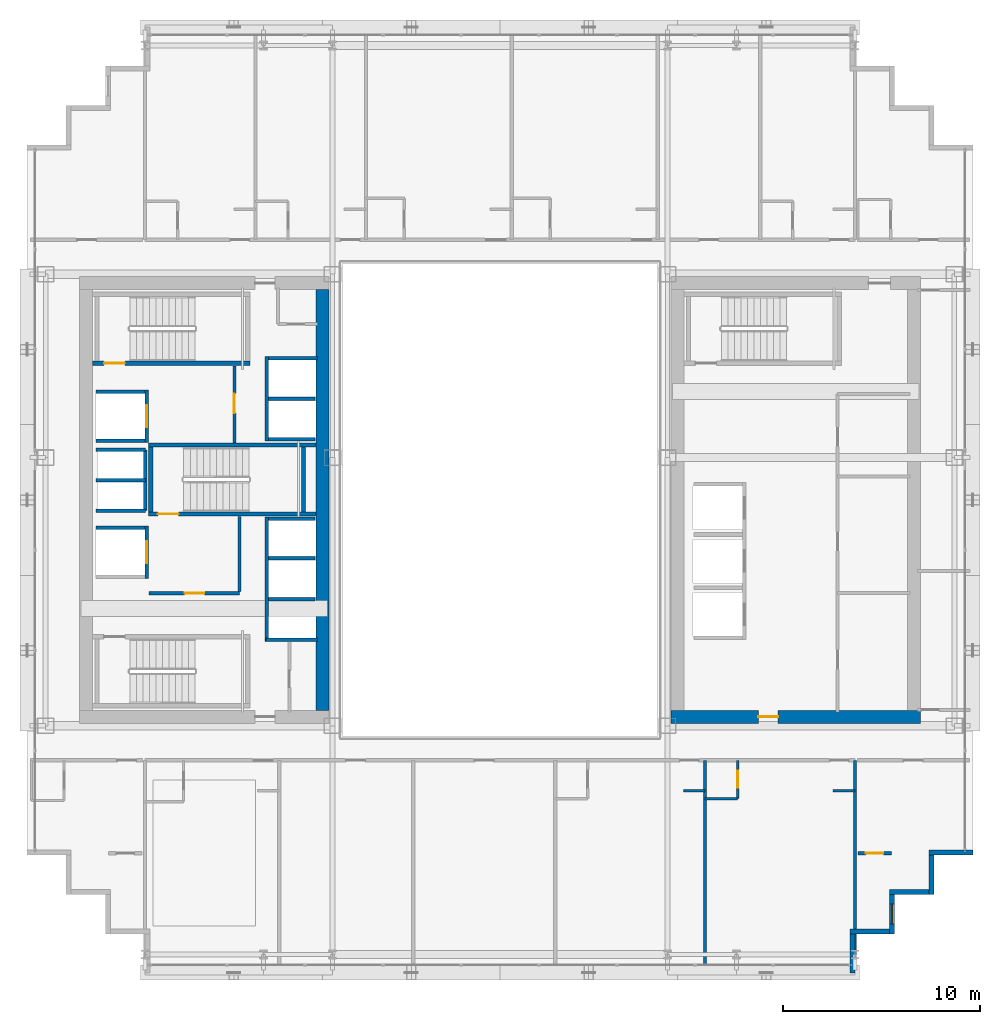
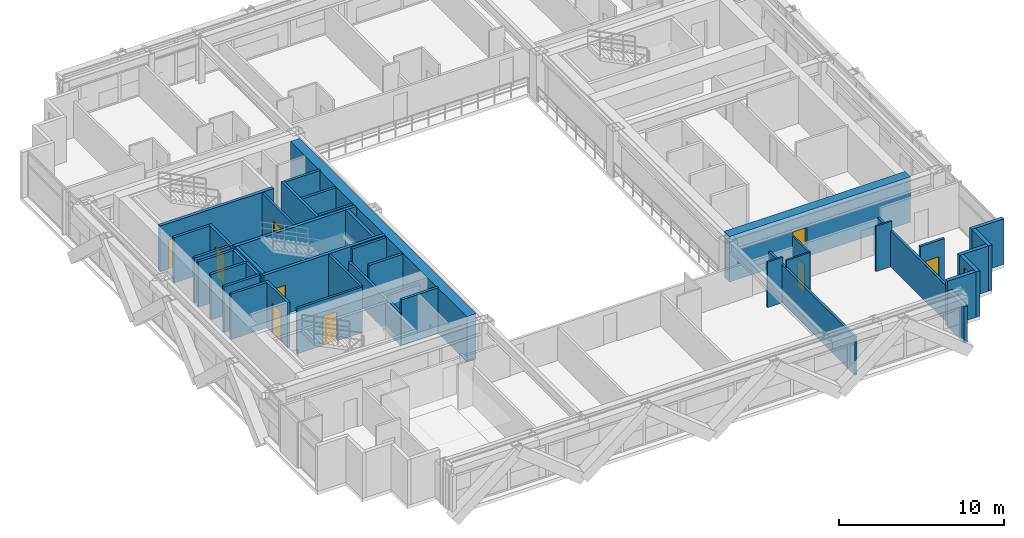
# One storey, part 28 of 35: 41 walls, 9 doors, 1 window, 10 openings.
"""IFC4 building model written with IfcOpenShell, lengths in metres."""

from ifc_helpers import new_model, si_unit, direction, frame, frame_2d, origin, place, context, subcontext, project, spatial, rectangle, extrude, source, transform, mapped, material, layer, layer_set, type_object, element, fill, save


model = new_model("IFC4")

# Units and contexts
model_context = context("Model", 3, precision=1e-05, world=origin(), true_north=direction((0.0, 1.0)))
body_context = subcontext(model_context, "Body", "Model", "MODEL_VIEW")
ifc_project = project(units=[si_unit("LENGTHUNIT", "METRE"), si_unit("AREAUNIT", "SQUARE_METRE"), si_unit("VOLUMEUNIT", "CUBIC_METRE"), si_unit("PLANEANGLEUNIT", "RADIAN"), si_unit("MASSUNIT", "GRAM", prefix="KILO")], contexts=[model_context])

# Site, building, storey
site_placement = place(None, origin())
site = spatial("IfcSite", under=ifc_project, at=site_placement, CompositionType="ELEMENT")
building_placement = place(site_placement, origin())
building = spatial("IfcBuilding", under=site, at=building_placement, Name="Ocotamira Hotel", CompositionType="ELEMENT")
storey_placement = place(building_placement, frame((0.0, 0.0, 140.39990234375)))
storey = spatial("IfcBuildingStorey", under=building, at=storey_placement, Name="L35", CompositionType="ELEMENT", Elevation=140.39990234375)

# Wall
ifc_material_1 = material(Name="Concrete C60/75", Category="concrete")
ifc_layer_1 = layer(ifc_material_1, 0.64990234375)
ifc_layer_set_1 = layer_set([ifc_layer_1], Name="Concrete C60/75")
wall_type_1 = type_object("IfcWallType", Name="WL-CORE-650", PredefinedType="SHEAR", material=ifc_layer_set_1)
wall_1_placement = place(storey_placement, frame((23.0, 15.324951171875, 0.0), z_axis=(0.0, 0.0, 1.0), x_axis=(0.0, 1.0, 0.0)))
element("IfcWall", 1, at=wall_1_placement, inside=storey, type_object=wall_type_1, Name="L35 Shear Core Wall WCORE-E", PredefinedType="SHEAR", context=body_context, shape_type="SweptSolid", body=[
    extrude(rectangle(XDim=21.35009765625, YDim=0.64990234375, at=frame_2d((10.675048828125, 0.0))), origin(), (0.0, 0.0, 1.0), 3.360107421875),
])

# Wall, opening, door
wall_2_placement = place(storey_placement, frame((40.675048828125, 15.0, 0.0), z_axis=(0.0, 0.0, 1.0), x_axis=(1.0, 0.0, 0.0)))
wall_2 = element("IfcWall", 2, at=wall_2_placement, inside=storey, type_object=wall_type_1, Name="L35 Shear Core Wall ECORE-S", PredefinedType="SHEAR", context=body_context, shape_type="SweptSolid", body=[
    extrude(rectangle(XDim=12.64990234375, YDim=0.64990234375, at=frame_2d((6.324951171875, 0.0))), origin(), (0.0, 0.0, 1.0), 3.360107421875),
])
opening_1_placement = place(wall_2_placement, frame((4.425048828125, 0.0, 0.0)))
opening_1 = element("IfcOpeningElement", 3, at=opening_1_placement, cuts=wall_2, Name="Opening D-FR2", PredefinedType="OPENING", context=body_context, shape_type="SweptSolid", body=[
    extrude(rectangle(XDim=1.0, YDim=2.14990234375, at=frame_2d((0.5, 1.074951171875))), frame((0.0, 0.3349609375, 0.0), z_axis=(0.0, -1.0, 0.0), x_axis=(1.0, 0.0, 0.0)), (0.0, 0.0, 1.0), 0.669921875),
])
ifc_material_2 = material(Name="Fire-rated acoustic timber-veneer door", Category="wood")
door_type_1 = type_object("IfcDoorType", Name="DR-FIRE-1000", OperationType="NOTDEFINED", PredefinedType="DOOR", material=ifc_material_2)
shared_shape_1 = source(origin(), body_context, "Body", "SweptSolid", [
    extrude(rectangle(XDim=1.0, YDim=2.14990234375, at=frame_2d((0.5, 1.074951171875))), frame((0.0, 0.02490234375, 0.0), z_axis=(0.0, -1.0, 0.0), x_axis=(1.0, 0.0, 0.0)), (0.0, 0.0, 1.0), 0.050048828125),
])
door_1_placement = place(opening_1_placement, origin())
door_1 = element("IfcDoor", 4, at=door_1_placement, inside=storey, type_object=door_type_1, Name="L35 Door ID-L35-ELOB-S-D [ID-L35-ELOB-S-D]", OperationType="SINGLE_SWING_RIGHT", OverallHeight=2.14990234375, OverallWidth=1.0, PredefinedType="DOOR", context=body_context, shape_type="MappedRepresentation", body=[
    mapped(shared_shape_1, transform((0.0, 0.0, 0.0), scale=1.0)),
])
fill(opening_1, door_1)

# Walls
ifc_material_3 = material(Name="Precast concrete C45/55", Category="concrete")
ifc_layer_2 = layer(ifc_material_3, 0.25)
ifc_layer_set_2 = layer_set([ifc_layer_2], Name="Precast concrete C45/55")
wall_type_2 = type_object("IfcWallType", Name="WL-EXT-SER-250", PredefinedType="SOLIDWALL", material=ifc_layer_set_2)
wall_3_placement = place(storey_placement, frame((49.875, 2.0, 0.0), z_axis=(0.0, 0.0, 1.0), x_axis=(0.0, 1.0, 0.0)))
element("IfcWall", 5, at=wall_3_placement, inside=storey, type_object=wall_type_2, Name="L35 Serrated Corner Wall 01", PredefinedType="SOLIDWALL", context=body_context, shape_type="SweptSolid", body=[
    extrude(rectangle(XDim=2.0, YDim=0.25, at=frame_2d((1.0, 0.0))), origin(), (0.0, 0.0, 1.0), 2.6669921875),
])
wall_4_placement = place(storey_placement, frame((49.75, 4.125, 0.0), z_axis=(0.0, 0.0, 1.0), x_axis=(1.0, 0.0, 0.0)))
element("IfcWall", 6, at=wall_4_placement, inside=storey, type_object=wall_type_2, Name="L35 Serrated Corner Wall 02", PredefinedType="SOLIDWALL", context=body_context, shape_type="SweptSolid", body=[
    extrude(rectangle(XDim=2.0, YDim=0.25, at=frame_2d((1.0, 0.0))), origin(), (0.0, 0.0, 1.0), 3.360107421875),
])

# Wall, opening, window
wall_5_placement = place(storey_placement, frame((51.875, 4.0, 0.0), z_axis=(0.0, 0.0, 1.0), x_axis=(0.0, 1.0, 0.0)))
wall_5 = element("IfcWall", 7, at=wall_5_placement, inside=storey, type_object=wall_type_2, Name="L35 Serrated Corner Wall 03", PredefinedType="SOLIDWALL", context=body_context, shape_type="SweptSolid", body=[
    extrude(rectangle(XDim=2.0, YDim=0.25, at=frame_2d((1.0, 0.0))), origin(), (0.0, 0.0, 1.0), 3.360107421875),
])
opening_2_placement = place(wall_5_placement, frame((0.5, 0.0, 0.85009765625)))
opening_2 = element("IfcOpeningElement", 8, at=opening_2_placement, cuts=wall_5, Name="Opening WN-2", PredefinedType="OPENING", context=body_context, shape_type="SweptSolid", body=[
    extrude(rectangle(XDim=1.0, YDim=1.89990234375, at=frame_2d((0.5, 0.949951171875))), frame((0.0, 0.135009765625, 0.0), z_axis=(0.0, -1.0, 0.0), x_axis=(1.0, 0.0, 0.0)), (0.0, 0.0, 1.0), 0.27001953125),
])
ifc_material_4 = material(Name="Double-silver low-E solar glass", Category="glass")
window_type = type_object("IfcWindowType", Name="WIN-SER-1100", PartitioningType="SINGLE_PANEL", PredefinedType="WINDOW", material=ifc_material_4)
shared_shape_2 = source(origin(), body_context, "Body", "SweptSolid", [
    extrude(rectangle(XDim=1.0, YDim=1.89990234375, at=frame_2d((0.5, 0.949951171875))), frame((0.0, 0.030029296875, 0.0), z_axis=(0.0, -1.0, 0.0), x_axis=(1.0, 0.0, 0.0)), (0.0, 0.0, 1.0), 0.06005859375),
])
window_placement = place(opening_2_placement, origin())
window = element("IfcWindow", 9, at=window_placement, inside=storey, type_object=window_type, Name="L35 Serrated Corner Window 03", OverallHeight=1.89990234375, OverallWidth=1.0, PartitioningType="SINGLE_PANEL", PredefinedType="WINDOW", context=body_context, shape_type="MappedRepresentation", body=[
    mapped(shared_shape_2, transform((0.0, 0.0, 0.0), scale=1.0)),
])
fill(opening_2, window)

# Walls
for number, where, z_axis, x_axis, name in (
    (10, (51.75, 6.125, 0.0), (0.0, 0.0, 1.0), (1.0, 0.0, 0.0), "L35 Serrated Corner Wall 04"),
    (11, (53.875, 6.0, 0.0), (0.0, 0.0, 1.0), (0.0, 1.0, 0.0), "L35 Serrated Corner Wall 05"),
):
    element("IfcWall", number, at=place(storey_placement, frame(where, z_axis=z_axis, x_axis=x_axis)), inside=storey, type_object=wall_type_2, Name=name, PredefinedType="SOLIDWALL", context=body_context, shape_type="SweptSolid", body=[
        extrude(rectangle(XDim=2.0, YDim=0.25, at=frame_2d((1.0, 0.0))), origin(), (0.0, 0.0, 1.0), 3.360107421875),
    ])
wall_6_placement = place(storey_placement, frame((53.75, 8.125, 0.0), z_axis=(0.0, 0.0, 1.0), x_axis=(1.0, 0.0, 0.0)))
element("IfcWall", 12, at=wall_6_placement, inside=storey, type_object=wall_type_2, Name="L35 Serrated Corner Wall 06", PredefinedType="SOLIDWALL", context=body_context, shape_type="SweptSolid", body=[
    extrude(rectangle(XDim=2.25, YDim=0.25, at=frame_2d((1.125, 0.0))), origin(), (0.0, 0.0, 1.0), 3.360107421875),
])

# Wall, opening, door
ifc_material_5 = material(Name="Acoustic double-layer fire gypsum board partition", Category="gypsum")
ifc_layer_3 = layer(ifc_material_5, 0.159912109375)
ifc_layer_set_3 = layer_set([ifc_layer_3], Name="Acoustic double-layer fire gypsum board partition")
wall_type_3 = type_object("IfcWallType", Name="WL-FIRE-160", PredefinedType="PARTITIONING", material=ifc_layer_set_3)
wall_7_placement = place(storey_placement, frame((14.199951171875, 21.27001953125, 0.0), z_axis=(0.0, 0.0, 1.0), x_axis=(1.0, 0.0, 0.0)))
wall_7 = element("IfcWall", 13, at=wall_7_placement, inside=storey, type_object=wall_type_3, Name="L35 Interior Wall PW-L35-FSAE1-S", PredefinedType="PARTITIONING", context=body_context, shape_type="SweptSolid", body=[
    extrude(rectangle(XDim=4.580078125, YDim=0.159912109375, at=frame_2d((2.2900390625, 0.0))), origin(), (0.0, 0.0, 1.0), 3.360107421875),
])
opening_3_placement = place(wall_7_placement, frame((1.800048828125, 0.0, 0.0)))
opening_3 = element("IfcOpeningElement", 14, at=opening_3_placement, cuts=wall_7, Name="Opening D-FR2", PredefinedType="OPENING", context=body_context, shape_type="SweptSolid", body=[
    extrude(rectangle(XDim=1.0, YDim=2.14990234375, at=frame_2d((0.5, 1.074951171875))), frame((0.0, 0.08984375, 0.0), z_axis=(0.0, -1.0, 0.0), x_axis=(1.0, 0.0, 0.0)), (0.0, 0.0, 1.0), 0.179931640625),
])
door_2_placement = place(opening_3_placement, origin())
door_2 = element("IfcDoor", 15, at=door_2_placement, inside=storey, type_object=door_type_1, Name="L35 Door ID-L35-FSAE1-D [ID-L35-FSAE1-D]", OperationType="SINGLE_SWING_LEFT", OverallHeight=2.14990234375, OverallWidth=1.0, PredefinedType="DOOR", context=body_context, shape_type="MappedRepresentation", body=[
    mapped(shared_shape_1, transform((0.0, 0.0, 0.0), scale=1.0)),
])
fill(opening_3, door_2)

# Wall
wall_8_placement = place(storey_placement, frame((18.780029296875, 21.35009765625, 0.0), z_axis=(0.0, 0.0, 1.0), x_axis=(0.0, 1.0, 0.0)))
element("IfcWall", 16, at=wall_8_placement, inside=storey, type_object=wall_type_3, Name="L35 Interior Wall PW-L35-FSAE1-E", PredefinedType="PARTITIONING", context=body_context, shape_type="SweptSolid", body=[
    extrude(rectangle(XDim=3.809814453125, YDim=0.159912109375, at=frame_2d((1.90478515625, 0.0))), origin(), (0.0, 0.0, 1.0), 3.360107421875),
])

# Wall, opening, door
wall_9_placement = place(storey_placement, frame((18.530029296875, 28.89990234375, 0.0), z_axis=(0.0, 0.0, 1.0), x_axis=(0.0, 1.0, 0.0)))
wall_9 = element("IfcWall", 17, at=wall_9_placement, inside=storey, type_object=wall_type_3, Name="L35 Interior Wall PW-L35-FSAE2-E", PredefinedType="PARTITIONING", context=body_context, shape_type="SweptSolid", body=[
    extrude(rectangle(XDim=3.900146484375, YDim=0.159912109375, at=frame_2d((1.9501953125, 0.0))), origin(), (0.0, 0.0, 1.0), 3.360107421875),
])
opening_4_placement = place(wall_9_placement, frame((1.5, 0.0, 0.0)))
opening_4 = element("IfcOpeningElement", 18, at=opening_4_placement, cuts=wall_9, Name="Opening D-FR2", PredefinedType="OPENING", context=body_context, shape_type="SweptSolid", body=[
    extrude(rectangle(XDim=1.0, YDim=2.14990234375, at=frame_2d((0.5, 1.074951171875))), frame((0.0, 0.08984375, 0.0), z_axis=(0.0, -1.0, 0.0), x_axis=(1.0, 0.0, 0.0)), (0.0, 0.0, 1.0), 0.179931640625),
])
door_3_placement = place(opening_4_placement, origin())
door_3 = element("IfcDoor", 19, at=door_3_placement, inside=storey, type_object=door_type_1, Name="L35 Door ID-L35-FSAE2-D [ID-L35-FSAE2-D]", OperationType="SINGLE_SWING_RIGHT", OverallHeight=2.14990234375, OverallWidth=1.0, PredefinedType="DOOR", context=body_context, shape_type="MappedRepresentation", body=[
    mapped(shared_shape_1, transform((0.0, 0.0, 0.0), scale=1.0)),
])
fill(opening_4, door_3)

wall_10_placement = place(storey_placement, frame((50.14990234375, 8.080078125, 0.0), z_axis=(0.0, 0.0, 1.0), x_axis=(1.0, 0.0, 0.0)))
wall_10 = element("IfcWall", 20, at=wall_10_placement, inside=storey, type_object=wall_type_3, Name="L35 Interior Wall PW-L35-Z2E-CSE2-CW", PredefinedType="PARTITIONING", context=body_context, shape_type="SweptSolid", body=[
    extrude(rectangle(XDim=1.7001953125, YDim=0.159912109375, at=frame_2d((0.85009765625, 0.0))), origin(), (0.0, 0.0, 1.0), 3.360107421875),
])
opening_5_placement = place(wall_10_placement, frame((0.409912109375, 0.0, 0.0)))
opening_5 = element("IfcOpeningElement", 21, at=opening_5_placement, cuts=wall_10, Name="Opening D-SV2", PredefinedType="OPENING", context=body_context, shape_type="SweptSolid", body=[
    extrude(rectangle(XDim=0.8798828125, YDim=2.14990234375, at=frame_2d((0.43994140625, 1.074951171875))), frame((0.0, 0.08984375, 0.0), z_axis=(0.0, -1.0, 0.0), x_axis=(1.0, 0.0, 0.0)), (0.0, 0.0, 1.0), 0.179931640625),
])
ifc_material_6 = material(Name="Fire-rated painted steel service door", Category="steel")
door_type_2 = type_object("IfcDoorType", Name="DR-SERV-880", OperationType="NOTDEFINED", PredefinedType="DOOR", material=ifc_material_6)
shared_shape_3 = source(origin(), body_context, "Body", "SweptSolid", [
    extrude(rectangle(XDim=0.8798828125, YDim=2.14990234375, at=frame_2d((0.43994140625, 1.074951171875))), frame((0.0, 0.02490234375, 0.0), z_axis=(0.0, -1.0, 0.0), x_axis=(1.0, 0.0, 0.0)), (0.0, 0.0, 1.0), 0.050048828125),
])
door_4_placement = place(opening_5_placement, origin())
door_4 = element("IfcDoor", 22, at=door_4_placement, inside=storey, type_object=door_type_2, Name="L35 Door ID-L35-Z2E-CSE2-CD [ID-L35-Z2E-CSE2-CD]", OperationType="SINGLE_SWING_LEFT", OverallHeight=2.14990234375, OverallWidth=0.8798828125, PredefinedType="DOOR", context=body_context, shape_type="MappedRepresentation", body=[
    mapped(shared_shape_3, transform((0.0, 0.0, 0.0), scale=1.0)),
])
fill(opening_5, door_4)

# Wall
ifc_material_7 = material(Name="Moisture-resistant en-suite tile and gypsum partition", Category="gypsum")
ifc_layer_4 = layer(ifc_material_7, 0.1201171875)
ifc_layer_set_4 = layer_set([ifc_layer_4], Name="Moisture-resistant en-suite tile and gypsum partition")
wall_type_4 = type_object("IfcWallType", Name="WL-PART-120", PredefinedType="PARTITIONING", material=ifc_layer_set_4)
wall_11_placement = place(storey_placement, frame((41.300048828125, 11.25, 0.0), z_axis=(0.0, 0.0, 1.0), x_axis=(1.0, 0.0, 0.0)))
element("IfcWall", 23, at=wall_11_placement, inside=storey, type_object=wall_type_4, Name="L35 Interior Wall PW-L35-Z2ES-DRN4", PredefinedType="PARTITIONING", context=body_context, shape_type="SweptSolid", body=[
    extrude(rectangle(XDim=1.099853515625, YDim=0.1201171875, at=frame_2d((0.5498046875, 0.0))), origin(), (0.0, 0.0, 1.0), 3.360107421875),
])

# Wall, opening, door
wall_12_placement = place(storey_placement, frame((44.050048828125, 10.85009765625, 0.0), z_axis=(0.0, 0.0, 1.0), x_axis=(0.0, 1.0, 0.0)))
wall_12 = element("IfcWall", 24, at=wall_12_placement, inside=storey, type_object=wall_type_4, Name="L35 Interior Wall PW-L35-Z2ES-BAE5", PredefinedType="PARTITIONING", context=body_context, shape_type="SweptSolid", body=[
    extrude(rectangle(XDim=1.949951171875, YDim=0.1201171875, at=frame_2d((0.97509765625, 0.0))), origin(), (0.0, 0.0, 1.0), 3.360107421875),
])
opening_6_placement = place(wall_12_placement, frame((0.544921875, 0.0, 0.0)))
opening_6 = element("IfcOpeningElement", 25, at=opening_6_placement, cuts=wall_12, Name="Opening D-BA1", PredefinedType="OPENING", context=body_context, shape_type="SweptSolid", body=[
    extrude(rectangle(XDim=0.860107421875, YDim=2.10009765625, at=frame_2d((0.43017578125, 1.050048828125))), frame((0.0, 0.070068359375, 0.0), z_axis=(0.0, -1.0, 0.0), x_axis=(1.0, 0.0, 0.0)), (0.0, 0.0, 1.0), 0.14013671875),
])
ifc_material_8 = material(Name="Moisture-sealed en-suite timber door", Category="wood")
door_type_3 = type_object("IfcDoorType", Name="DR-BATH-860", OperationType="NOTDEFINED", PredefinedType="DOOR", material=ifc_material_8)
shared_shape_4 = source(origin(), body_context, "Body", "SweptSolid", [
    extrude(rectangle(XDim=0.860107421875, YDim=2.10009765625, at=frame_2d((0.43017578125, 1.050048828125))), frame((0.0, 0.02490234375, 0.0), z_axis=(0.0, -1.0, 0.0), x_axis=(1.0, 0.0, 0.0)), (0.0, 0.0, 1.0), 0.050048828125),
])
door_5_placement = place(opening_6_placement, origin())
door_5 = element("IfcDoor", 26, at=door_5_placement, inside=storey, type_object=door_type_3, Name="L35 Door ID-L35-Z2ES-BAD5 [ID-L35-Z2ES-BAD5]", OperationType="SINGLE_SWING_RIGHT", OverallHeight=2.10009765625, OverallWidth=0.860107421875, PredefinedType="DOOR", context=body_context, shape_type="MappedRepresentation", body=[
    mapped(shared_shape_4, transform((0.0, 0.0, 0.0), scale=1.0)),
])
fill(opening_6, door_5)

# Walls
wall_13_placement = place(storey_placement, frame((42.39990234375, 10.85009765625, 0.0), z_axis=(0.0, 0.0, 1.0), x_axis=(1.0, 0.0, 0.0)))
element("IfcWall", 27, at=wall_13_placement, inside=storey, type_object=wall_type_4, Name="L35 Interior Wall PW-L35-Z2ES-BAS5", PredefinedType="PARTITIONING", context=body_context, shape_type="SweptSolid", body=[
    extrude(rectangle(XDim=1.650146484375, YDim=0.1201171875, at=frame_2d((0.8251953125, 0.0))), origin(), (0.0, 0.0, 1.0), 3.360107421875),
])
wall_14_placement = place(storey_placement, frame((48.89990234375, 11.25, 0.0), z_axis=(0.0, 0.0, 1.0), x_axis=(1.0, 0.0, 0.0)))
element("IfcWall", 28, at=wall_14_placement, inside=storey, type_object=wall_type_4, Name="L35 Interior Wall PW-L35-Z2ES-DRN5", PredefinedType="PARTITIONING", context=body_context, shape_type="SweptSolid", body=[
    extrude(rectangle(XDim=1.10009765625, YDim=0.1201171875, at=frame_2d((0.550048828125, 0.0))), origin(), (0.0, 0.0, 1.0), 3.360107421875),
])
ifc_material_9 = material(Name="Acoustic double-stud hospitality gypsum partition", Category="gypsum")
ifc_layer_5 = layer(ifc_material_9, 0.159912109375)
ifc_layer_set_5 = layer_set([ifc_layer_5], Name="Acoustic double-stud hospitality gypsum partition")
wall_type_5 = type_object("IfcWallType", Name="WL-PART-160", PredefinedType="PARTITIONING", material=ifc_layer_set_5)
wall_15_placement = place(storey_placement, frame((50.0, 2.360107421875, 0.0), z_axis=(0.0, 0.0, 1.0), x_axis=(0.0, 1.0, 0.0)))
element("IfcWall", 29, at=wall_15_placement, inside=storey, type_object=wall_type_5, Name="L35 Interior Wall PW-L35-Z2ES-PWEND", PredefinedType="PARTITIONING", context=body_context, shape_type="SweptSolid", body=[
    extrude(rectangle(XDim=10.43994140625, YDim=0.159912109375, at=frame_2d((5.219970703125, 0.0))), origin(), (0.0, 0.0, 1.0), 2.6669921875),
])
wall_16_placement = place(storey_placement, frame((42.39990234375, 2.360107421875, 0.0), z_axis=(0.0, 0.0, 1.0), x_axis=(0.0, 1.0, 0.0)))
element("IfcWall", 30, at=wall_16_placement, inside=storey, type_object=wall_type_5, Name="L35 Interior Wall PW-L35-Z2ES-PW4", PredefinedType="PARTITIONING", context=body_context, shape_type="SweptSolid", body=[
    extrude(rectangle(XDim=10.43994140625, YDim=0.159912109375, at=frame_2d((5.219970703125, 0.0))), origin(), (0.0, 0.0, 1.0), 2.822998046875),
])
ifc_material_10 = material(Name="Fire-rated gypsum shaftliner board assembly", Category="gypsum")
ifc_layer_6 = layer(ifc_material_10, 0.179931640625)
ifc_layer_set_6 = layer_set([ifc_layer_6], Name="Fire-rated gypsum shaftliner board assembly")
wall_type_6 = type_object("IfcWallType", Name="WL-SHAFT-180", PredefinedType="SOLIDWALL", material=ifc_layer_set_6)
wall_17_placement = place(storey_placement, frame((20.159912109375, 18.820068359375, 0.0), z_axis=(0.0, 0.0, 1.0), x_axis=(0.0, 1.0, 0.0)))
element("IfcWall", 31, at=wall_17_placement, inside=storey, type_object=wall_type_6, Name="L35 Interior Wall PW-L35-LFW-BANK-high-F", PredefinedType="SOLIDWALL", context=body_context, shape_type="SweptSolid", body=[
    extrude(rectangle(XDim=6.31982421875, YDim=0.179931640625, at=frame_2d((3.159912109375, 0.0))), origin(), (0.0, 0.0, 1.0), 2.360107421875),
])
wall_18_placement = place(storey_placement, frame((20.1201171875, 18.909912109375, 0.0), z_axis=(0.0, 0.0, 1.0), x_axis=(1.0, 0.0, 0.0)))
element("IfcWall", 32, at=wall_18_placement, inside=storey, type_object=wall_type_6, Name="L35 Interior Wall PW-L35-LFW-BANK-high-S", PredefinedType="SOLIDWALL", context=body_context, shape_type="SweptSolid", body=[
    extrude(rectangle(XDim=2.6298828125, YDim=0.179931640625, at=frame_2d((1.31494140625, 0.0))), origin(), (0.0, 0.0, 1.0), 3.360107421875),
])
wall_19_placement = place(storey_placement, frame((20.25, 25.050048828125, 0.0), z_axis=(0.0, 0.0, 1.0), x_axis=(1.0, 0.0, 0.0)))
element("IfcWall", 33, at=wall_19_placement, inside=storey, type_object=wall_type_6, Name="L35 Interior Wall PW-L35-LFW-BANK-high-N", PredefinedType="SOLIDWALL", context=body_context, shape_type="SweptSolid", body=[
    extrude(rectangle(XDim=2.360107421875, YDim=0.179931640625, at=frame_2d((1.18017578125, 0.0))), origin(), (0.0, 0.0, 1.0), 3.360107421875),
])
wall_20_placement = place(storey_placement, frame((20.25, 20.965087890625, 0.0), z_axis=(0.0, 0.0, 1.0), x_axis=(1.0, 0.0, 0.0)))
element("IfcWall", 34, at=wall_20_placement, inside=storey, type_object=wall_type_6, Name="L35 Interior Wall PW-L35-LFW-DIV-LF-P7", PredefinedType="SOLIDWALL", context=body_context, shape_type="SweptSolid", body=[
    extrude(rectangle(XDim=2.360107421875, YDim=0.179931640625, at=frame_2d((1.18017578125, 0.0))), origin(), (0.0, 0.0, 1.0), 2.360107421875),
])
wall_21_placement = place(storey_placement, frame((20.25, 23.044921875, 0.0), z_axis=(0.0, 0.0, 1.0), x_axis=(1.0, 0.0, 0.0)))
element("IfcWall", 35, at=wall_21_placement, inside=storey, type_object=wall_type_6, Name="L35 Interior Wall PW-L35-LFW-DIV-LF-P8", PredefinedType="SOLIDWALL", context=body_context, shape_type="SweptSolid", body=[
    extrude(rectangle(XDim=2.360107421875, YDim=0.179931640625, at=frame_2d((1.18017578125, 0.0))), origin(), (0.0, 0.0, 1.0), 3.360107421875),
])
wall_22_placement = place(storey_placement, frame((20.159912109375, 29.0, 0.0), z_axis=(0.0, 0.0, 1.0), x_axis=(0.0, 1.0, 0.0)))
element("IfcWall", 36, at=wall_22_placement, inside=storey, type_object=wall_type_6, Name="L35 Interior Wall PW-L35-LFW-BANK-obs-F", PredefinedType="SOLIDWALL", context=body_context, shape_type="SweptSolid", body=[
    extrude(rectangle(XDim=4.2900390625, YDim=0.179931640625, at=frame_2d((2.14501953125, 0.0))), origin(), (0.0, 0.0, 1.0), 3.360107421875),
])
wall_23_placement = place(storey_placement, frame((20.25, 29.090087890625, 0.0), z_axis=(0.0, 0.0, 1.0), x_axis=(1.0, 0.0, 0.0)))
element("IfcWall", 37, at=wall_23_placement, inside=storey, type_object=wall_type_6, Name="L35 Interior Wall PW-L35-LFW-BANK-obs-S", PredefinedType="SOLIDWALL", context=body_context, shape_type="SweptSolid", body=[
    extrude(rectangle(XDim=2.360107421875, YDim=0.179931640625, at=frame_2d((1.18017578125, 0.0))), origin(), (0.0, 0.0, 1.0), 3.360107421875),
])
wall_24_placement = place(storey_placement, frame((20.25, 33.199951171875, 0.0), z_axis=(0.0, 0.0, 1.0), x_axis=(1.0, 0.0, 0.0)))
element("IfcWall", 38, at=wall_24_placement, inside=storey, type_object=wall_type_6, Name="L35 Interior Wall PW-L35-LFW-BANK-obs-N", PredefinedType="SOLIDWALL", context=body_context, shape_type="SweptSolid", body=[
    extrude(rectangle(XDim=2.5, YDim=0.179931640625, at=frame_2d((1.25, 0.0))), origin(), (0.0, 0.0, 1.0), 3.360107421875),
])
wall_25_placement = place(storey_placement, frame((20.25, 31.14501953125, 0.0), z_axis=(0.0, 0.0, 1.0), x_axis=(1.0, 0.0, 0.0)))
element("IfcWall", 39, at=wall_25_placement, inside=storey, type_object=wall_type_6, Name="L35 Interior Wall PW-L35-LFW-DIV-LF-OBS1", PredefinedType="SOLIDWALL", context=body_context, shape_type="SweptSolid", body=[
    extrude(rectangle(XDim=2.360107421875, YDim=0.179931640625, at=frame_2d((1.18017578125, 0.0))), origin(), (0.0, 0.0, 1.0), 3.360107421875),
])
wall_26_placement = place(storey_placement, frame((11.5, 24.590087890625, 0.0), z_axis=(0.0, 0.0, 1.0), x_axis=(1.0, 0.0, 0.0)))
element("IfcWall", 40, at=wall_26_placement, inside=storey, type_object=wall_type_6, Name="L35 Interior Wall PW-L35-LFW-LF-FSAE1-N", PredefinedType="SOLIDWALL", context=body_context, shape_type="SweptSolid", body=[
    extrude(rectangle(XDim=2.5, YDim=0.179931640625, at=frame_2d((1.25, 0.0))), origin(), (0.0, 0.0, 1.0), 3.360107421875),
])

# Wall, opening, door
wall_27_placement = place(storey_placement, frame((14.090087890625, 22.02001953125, 0.0), z_axis=(0.0, 0.0, 1.0), x_axis=(0.0, 1.0, 0.0)))
wall_27 = element("IfcWall", 41, at=wall_27_placement, inside=storey, type_object=wall_type_6, Name="L35 Interior Wall PW-L35-LFW-LF-FSAE1-E", PredefinedType="SOLIDWALL", context=body_context, shape_type="SweptSolid", body=[
    extrude(rectangle(XDim=2.659912109375, YDim=0.179931640625, at=frame_2d((1.330078125, 0.0))), origin(), (0.0, 0.0, 1.0), 3.360107421875),
])
opening_7_placement = place(wall_27_placement, frame((0.780029296875, 0.0, 0.0)))
opening_7 = element("IfcOpeningElement", 42, at=opening_7_placement, cuts=wall_27, Name="Opening LD-LF-FSAE1", PredefinedType="OPENING", context=body_context, shape_type="SweptSolid", body=[
    extrude(rectangle(XDim=1.10009765625, YDim=2.199951171875, at=frame_2d((0.550048828125, 1.10009765625))), frame((0.0, 0.10009765625, 0.0), z_axis=(0.0, -1.0, 0.0), x_axis=(1.0, 0.0, 0.0)), (0.0, 0.0, 1.0), 0.199951171875),
])
ifc_material_11 = material(Name="Brushed pale-metal stainless elevator landing door", Category="steel")
door_type_4 = type_object("IfcDoorType", Name="DR-LIFT-1100", OperationType="NOTDEFINED", PredefinedType="DOOR", material=ifc_material_11)
shared_shape_5 = source(origin(), body_context, "Body", "SweptSolid", [
    extrude(rectangle(XDim=1.10009765625, YDim=2.199951171875, at=frame_2d((0.550048828125, 1.10009765625))), frame((0.0, 0.02490234375, 0.0), z_axis=(0.0, -1.0, 0.0), x_axis=(1.0, 0.0, 0.0)), (0.0, 0.0, 1.0), 0.050048828125),
])
door_6_placement = place(opening_7_placement, origin())
door_6 = element("IfcDoor", 43, at=door_6_placement, inside=storey, type_object=door_type_4, Name="L35 Landing Door LD-LF-FSAE1 [ID-L35-LD-LF-FSAE1]", OperationType="DOUBLE_DOOR_SLIDING", OverallHeight=2.199951171875, OverallWidth=1.10009765625, PredefinedType="DOOR", context=body_context, shape_type="MappedRepresentation", body=[
    mapped(shared_shape_5, transform((0.0, 0.0, 0.0), scale=1.0)),
])
fill(opening_7, door_6)

# Walls
for number, where, z_axis, x_axis, name in (
    (44, (11.5, 29.010009765625, 0.0), (0.0, 0.0, 1.0), (1.0, 0.0, 0.0), "L35 Interior Wall PW-L35-LFW-LF-FSAE2-S"),
    (45, (11.5, 31.489990234375, 0.0), (0.0, 0.0, 1.0), (1.0, 0.0, 0.0), "L35 Interior Wall PW-L35-LFW-LF-FSAE2-N"),
):
    element("IfcWall", number, at=place(storey_placement, frame(where, z_axis=z_axis, x_axis=x_axis)), inside=storey, type_object=wall_type_6, Name=name, PredefinedType="SOLIDWALL", context=body_context, shape_type="SweptSolid", body=[
        extrude(rectangle(XDim=2.5, YDim=0.179931640625, at=frame_2d((1.25, 0.0))), origin(), (0.0, 0.0, 1.0), 3.360107421875),
    ])

# Wall, opening, door
wall_28_placement = place(storey_placement, frame((14.090087890625, 28.919921875, 0.0), z_axis=(0.0, 0.0, 1.0), x_axis=(0.0, 1.0, 0.0)))
wall_28 = element("IfcWall", 46, at=wall_28_placement, inside=storey, type_object=wall_type_6, Name="L35 Interior Wall PW-L35-LFW-LF-FSAE2-E", PredefinedType="SOLIDWALL", context=body_context, shape_type="SweptSolid", body=[
    extrude(rectangle(XDim=2.66015625, YDim=0.179931640625, at=frame_2d((1.330078125, 0.0))), origin(), (0.0, 0.0, 1.0), 3.360107421875),
])
opening_8_placement = place(wall_28_placement, frame((0.780029296875, 0.0, 0.0)))
opening_8 = element("IfcOpeningElement", 47, at=opening_8_placement, cuts=wall_28, Name="Opening LD-LF-FSAE2", PredefinedType="OPENING", context=body_context, shape_type="SweptSolid", body=[
    extrude(rectangle(XDim=1.10009765625, YDim=2.199951171875, at=frame_2d((0.550048828125, 1.10009765625))), frame((0.0, 0.10009765625, 0.0), z_axis=(0.0, -1.0, 0.0), x_axis=(1.0, 0.0, 0.0)), (0.0, 0.0, 1.0), 0.199951171875),
])
door_7_placement = place(opening_8_placement, origin())
door_7 = element("IfcDoor", 48, at=door_7_placement, inside=storey, type_object=door_type_4, Name="L35 Landing Door LD-LF-FSAE2 [ID-L35-LD-LF-FSAE2]", OperationType="DOUBLE_DOOR_SLIDING", OverallHeight=2.199951171875, OverallWidth=1.10009765625, PredefinedType="DOOR", context=body_context, shape_type="MappedRepresentation", body=[
    mapped(shared_shape_5, transform((0.0, 0.0, 0.0), scale=1.0)),
])
fill(opening_8, door_7)

# Walls
for number, where, z_axis, x_axis, name in (
    (49, (11.5, 25.4599609375, 0.0), (0.0, 0.0, 1.0), (1.0, 0.0, 0.0), "L35 Interior Wall PW-L35-RSW-S"),
    (50, (11.5, 27.0, 0.0), (0.0, 0.0, 1.0), (1.0, 0.0, 0.0), "L35 Interior Wall PW-L35-RSW-MID"),
    (51, (11.5, 28.5400390625, 0.0), (0.0, 0.0, 1.0), (1.0, 0.0, 0.0), "L35 Interior Wall PW-L35-RSW-N"),
):
    element("IfcWall", number, at=place(storey_placement, frame(where, z_axis=z_axis, x_axis=x_axis)), inside=storey, type_object=wall_type_6, Name=name, PredefinedType="SOLIDWALL", context=body_context, shape_type="SweptSolid", body=[
        extrude(rectangle(XDim=2.510009765625, YDim=0.179931640625, at=frame_2d((1.2548828125, 0.0))), origin(), (0.0, 0.0, 1.0), 3.360107421875),
    ])
wall_29_placement = place(storey_placement, frame((14.010009765625, 25.4599609375, 0.0), z_axis=(0.0, 0.0, 1.0), x_axis=(0.0, 1.0, 0.0)))
element("IfcWall", 52, at=wall_29_placement, inside=storey, type_object=wall_type_6, Name="L35 Interior Wall PW-L35-RSW-E", PredefinedType="SOLIDWALL", context=body_context, shape_type="SweptSolid", body=[
    extrude(rectangle(XDim=3.080078125, YDim=0.179931640625, at=frame_2d((1.5400390625, 0.0))), origin(), (0.0, 0.0, 1.0), 3.360107421875),
])

# Wall, opening, door
ifc_material_12 = material(Name="Concrete C50/60", Category="concrete")
ifc_layer_7 = layer(ifc_material_12, 0.219970703125)
ifc_layer_set_7 = layer_set([ifc_layer_7], Name="Concrete C50/60")
wall_type_7 = type_object("IfcWallType", Name="WL-STAIR-220", PredefinedType="SHEAR", material=ifc_layer_set_7)
wall_30_placement = place(storey_placement, frame((11.324951171875, 32.93994140625, 0.0), z_axis=(0.0, 0.0, 1.0), x_axis=(1.0, 0.0, 0.0)))
wall_30 = element("IfcWall", 53, at=wall_30_placement, inside=storey, type_object=wall_type_7, Name="L35 Stair Shaft Structural Wall ST-2-S", PredefinedType="SHEAR", context=body_context, shape_type="SweptSolid", body=[
    extrude(rectangle(XDim=7.985107421875, YDim=0.219970703125, at=frame_2d((3.99267578125, 0.0))), origin(), (0.0, 0.0, 1.0), 3.400146484375),
])
opening_9_placement = place(wall_30_placement, frame((0.594970703125, 0.0, 0.0)))
opening_9 = element("IfcOpeningElement", 54, at=opening_9_placement, cuts=wall_30, Name="Opening D-ST2", PredefinedType="OPENING", context=body_context, shape_type="SweptSolid", body=[
    extrude(rectangle(XDim=1.050048828125, YDim=2.14990234375, at=frame_2d((0.52490234375, 1.074951171875))), frame((0.0, 0.1201171875, 0.0), z_axis=(0.0, -1.0, 0.0), x_axis=(1.0, 0.0, 0.0)), (0.0, 0.0, 1.0), 0.239990234375),
])
ifc_material_13 = material(Name="Insulated painted hollow-metal fire exit door", Category="steel")
door_type_5 = type_object("IfcDoorType", Name="DR-STAIR-1050", OperationType="NOTDEFINED", PredefinedType="DOOR", material=ifc_material_13)
shared_shape_6 = source(origin(), body_context, "Body", "SweptSolid", [
    extrude(rectangle(XDim=1.050048828125, YDim=2.14990234375, at=frame_2d((0.52490234375, 1.074951171875))), frame((0.0, 0.02490234375, 0.0), z_axis=(0.0, -1.0, 0.0), x_axis=(1.0, 0.0, 0.0)), (0.0, 0.0, 1.0), 0.050048828125),
])
door_8_placement = place(opening_9_placement, origin())
door_8 = element("IfcDoor", 55, at=door_8_placement, inside=storey, type_object=door_type_5, Name="L35 Door ID-L35-STD-ST-2 [ID-L35-STD-ST-2]", OperationType="SINGLE_SWING_LEFT", OverallHeight=2.14990234375, OverallWidth=1.050048828125, PredefinedType="DOOR", context=body_context, shape_type="MappedRepresentation", body=[
    mapped(shared_shape_6, transform((0.0, 0.0, 0.0), scale=1.0)),
])
fill(opening_9, door_8)

wall_31_placement = place(storey_placement, frame((14.179931640625, 25.2900390625, 0.0), z_axis=(0.0, 0.0, 1.0), x_axis=(1.0, 0.0, 0.0)))
wall_31 = element("IfcWall", 56, at=wall_31_placement, inside=storey, type_object=wall_type_7, Name="L35 Stair Shaft Structural Wall ST-3-S", PredefinedType="SHEAR", context=body_context, shape_type="SweptSolid", body=[
    extrude(rectangle(XDim=8.4951171875, YDim=0.219970703125, at=frame_2d((4.24755859375, 0.0))), origin(), (0.0, 0.0, 1.0), 3.400146484375),
])
opening_10_placement = place(wall_31_placement, frame((0.469970703125, 0.0, 0.0)))
opening_10 = element("IfcOpeningElement", 57, at=opening_10_placement, cuts=wall_31, Name="Opening D-ST2", PredefinedType="OPENING", context=body_context, shape_type="SweptSolid", body=[
    extrude(rectangle(XDim=1.050048828125, YDim=2.14990234375, at=frame_2d((0.52490234375, 1.074951171875))), frame((0.0, 0.1201171875, 0.0), z_axis=(0.0, -1.0, 0.0), x_axis=(1.0, 0.0, 0.0)), (0.0, 0.0, 1.0), 0.239990234375),
])
door_9_placement = place(opening_10_placement, origin())
door_9 = element("IfcDoor", 58, at=door_9_placement, inside=storey, type_object=door_type_5, Name="L35 Door ID-L35-STD-ST-3 [ID-L35-STD-ST-3]", OperationType="SINGLE_SWING_RIGHT", OverallHeight=2.14990234375, OverallWidth=1.050048828125, PredefinedType="DOOR", context=body_context, shape_type="MappedRepresentation", body=[
    mapped(shared_shape_6, transform((0.0, 0.0, 0.0), scale=1.0)),
])
fill(opening_10, door_9)

# Walls
wall_32_placement = place(storey_placement, frame((14.179931640625, 28.7900390625, 0.0), z_axis=(0.0, 0.0, 1.0), x_axis=(1.0, 0.0, 0.0)))
element("IfcWall", 59, at=wall_32_placement, inside=storey, type_object=wall_type_7, Name="L35 Stair Shaft Structural Wall ST-3-N", PredefinedType="SHEAR", context=body_context, shape_type="SweptSolid", body=[
    extrude(rectangle(XDim=8.4951171875, YDim=0.219970703125, at=frame_2d((4.24755859375, 0.0))), origin(), (0.0, 0.0, 1.0), 3.400146484375),
])
for number, where, z_axis, x_axis, name in (
    (60, (14.2900390625, 25.39990234375, 0.0), (0.0, 0.0, 1.0), (0.0, 1.0, 0.0), "L35 Stair Shaft Structural Wall ST-3-W"),
    (61, (22.030029296875, 25.39990234375, 0.0), (0.0, 0.0, 1.0), (0.0, 1.0, 0.0), "L35 Stair Shaft Structural Wall ST-3-E"),
):
    element("IfcWall", number, at=place(storey_placement, frame(where, z_axis=z_axis, x_axis=x_axis)), inside=storey, type_object=wall_type_7, Name=name, PredefinedType="SHEAR", context=body_context, shape_type="SweptSolid", body=[
        extrude(rectangle(XDim=3.280029296875, YDim=0.219970703125, at=frame_2d((1.64013671875, 0.0))), origin(), (0.0, 0.0, 1.0), 3.400146484375),
    ])

save(model, "model.ifc")
